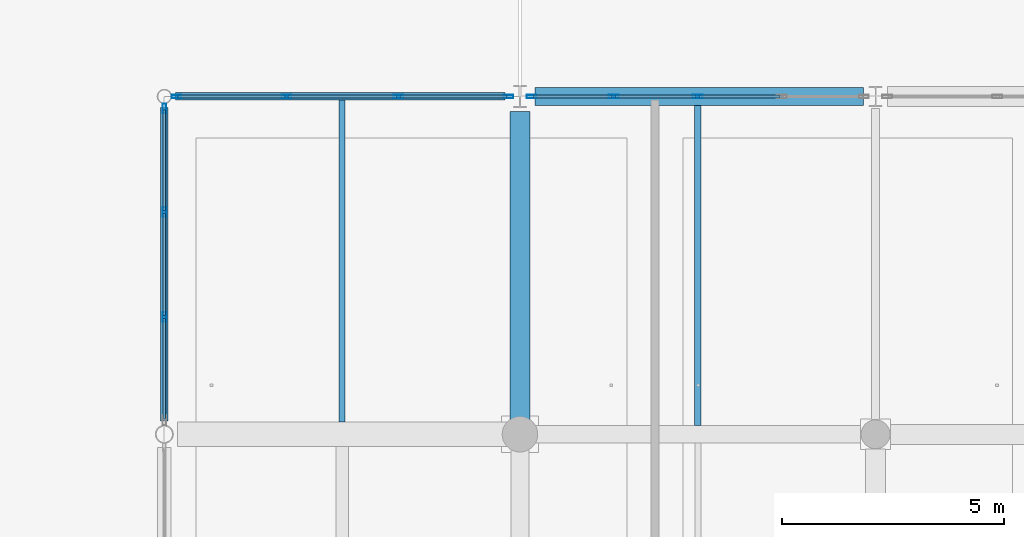
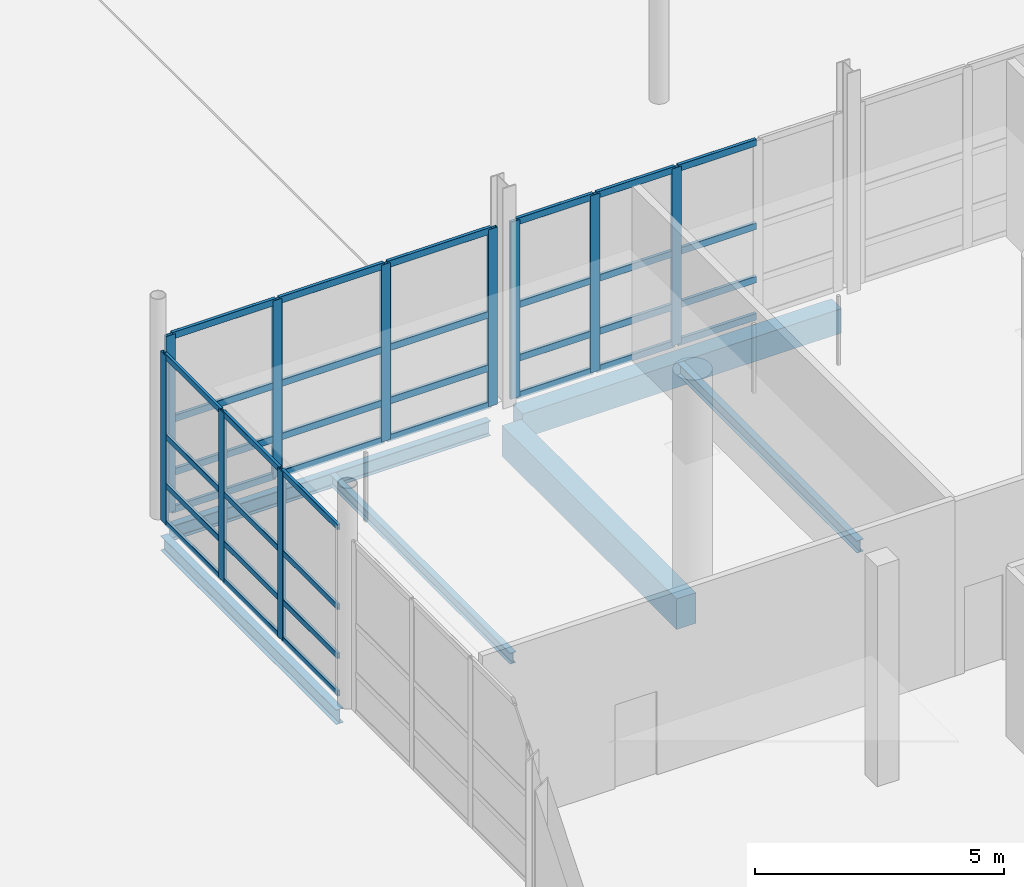
# One storey, part 43 of 126: 46 members, 6 beams, 3 elements without a shape of their own.
"""IFC4 building model written with IfcOpenShell, lengths in metres."""

from ifc_helpers import new_model, si_unit, direction, frame, origin, origin_2d, place, context, subcontext, project, spatial, rectangle, hollow_rectangle, i_section, extrude, material, material_profile, profile_set, type_object, element, aggregate, save


model = new_model("IFC4")

# Units and contexts
model_context = context("Model", 3, precision=1e-05, world=origin(), true_north=direction((0.0, 1.0)))
body_context = subcontext(model_context, "Body", "Model", "MODEL_VIEW")
ifc_project = project(units=[si_unit("LENGTHUNIT", "METRE"), si_unit("AREAUNIT", "SQUARE_METRE"), si_unit("VOLUMEUNIT", "CUBIC_METRE"), si_unit("PLANEANGLEUNIT", "RADIAN"), si_unit("MASSUNIT", "GRAM", prefix="KILO")], contexts=[model_context])

# Site, building, storey
site_placement = place(None, origin())
site = spatial("IfcSite", under=ifc_project, at=site_placement, CompositionType="ELEMENT")
building_placement = place(site_placement, origin())
building = spatial("IfcBuilding", under=site, at=building_placement, Name="Khelvaren Railside Concert Hall", CompositionType="ELEMENT")
storey_placement = place(building_placement, origin())
storey = spatial("IfcBuildingStorey", under=building, at=storey_placement, Name="L00", CompositionType="ELEMENT", Elevation=0.0)

# Beam
ifc_material_1 = material(Name="Concrete C40/50", Category="concrete")
ifc_material_profile_1 = material_profile(ifc_material_1, rectangle(XDim=0.449951171875, YDim=0.75, at=origin_2d()), Name="RCB 450x750")
ifc_profile_set_1 = profile_set([ifc_material_profile_1], Name="Concrete C40/50")
beam_type_1 = type_object("IfcBeamType", Name="BM83", PredefinedType="BEAM", material=ifc_profile_set_1)
beam_1_placement = place(storey_placement, frame((152.0, 30.64990234375, -0.695068359375), z_axis=(0.0, 1.0, 0.0), x_axis=(-1.0, 0.0, 0.0)))
element("IfcBeam", 1, at=beam_1_placement, inside=storey, type_object=beam_type_1, Name="V2 L00 Beam Y2.5", PredefinedType="BEAM", context=body_context, shape_type="SweptSolid", body=[
    extrude(rectangle(XDim=0.449951171875, YDim=0.75, at=origin_2d()), origin(), (0.0, 0.0, 1.0), 7.01416015625),
])

# Curtain wall, members
ifc_material_2 = material(Name="Double-glazed clear foyer glass", Category="glass")
curtain_wall_type_1 = type_object("IfcCurtainWallType", Name="CW64", PredefinedType="USERDEFINED", material=ifc_material_2)
curtain_wall_1_placement = place(storey_placement, origin())
curtain_wall_1 = element("IfcCurtainWall", 2, at=curtain_wall_1_placement, inside=storey, type_object=curtain_wall_type_1, Name="Unitised Curtain Wall CW-V2-L00-W-30", ObjectType="UNITISED CURTAIN WALL", PredefinedType="USERDEFINED")
ifc_material_3 = material(Name="Anodised architectural aluminium 6063-T6", Category="aluminium")
ifc_material_profile_2 = material_profile(ifc_material_3, hollow_rectangle(XDim=0.074951171875, YDim=0.219970703125, WallThickness=0.0048828125, InnerFilletRadius=0.0029296875, OuterFilletRadius=0.0048828125, at=origin_2d()), Name="CWM 75x220x5")
ifc_profile_set_2 = profile_set([ifc_material_profile_2], Name="Anodised architectural aluminium 6063-T6")
member_type_1 = type_object("IfcMemberType", Name="CWM13", PredefinedType="MULLION", material=ifc_profile_set_2)
member_1_placement = place(storey_placement, frame((144.0, 33.0390625, 0.0), z_axis=(0.0, 0.0, 1.0), x_axis=(-1.0, 0.0, 0.0)))
member_1 = element("IfcMember", 3, at=member_1_placement, type_object=member_type_1, Name="CW64 mullion 2", PredefinedType="MULLION", context=body_context, shape_type="SweptSolid", body=[
    extrude(hollow_rectangle(XDim=0.074951171875, YDim=0.219970703125, WallThickness=0.0048828125, InnerFilletRadius=0.0029296875, OuterFilletRadius=0.0048828125, at=origin_2d()), origin(), (0.0, 0.0, 1.0), 4.139892578125),
])
member_2_placement = place(storey_placement, frame((144.0, 35.40234375, 0.0), z_axis=(0.0, 0.0, 1.0), x_axis=(-1.0, 0.0, 0.0)))
member_2 = element("IfcMember", 4, at=member_2_placement, type_object=member_type_1, Name="CW64 mullion 3", PredefinedType="MULLION", context=body_context, shape_type="SweptSolid", body=[
    extrude(hollow_rectangle(XDim=0.074951171875, YDim=0.219970703125, WallThickness=0.0048828125, InnerFilletRadius=0.0029296875, OuterFilletRadius=0.0048828125, at=origin_2d()), origin(), (0.0, 0.0, 1.0), 4.139892578125),
])
member_3_placement = place(storey_placement, frame((144.0, 37.72802734375, 0.0), z_axis=(0.0, 0.0, 1.0), x_axis=(-1.0, 0.0, 0.0)))
member_3 = element("IfcMember", 5, at=member_3_placement, type_object=member_type_1, Name="CW64 mullion 4", PredefinedType="MULLION", context=body_context, shape_type="SweptSolid", body=[
    extrude(hollow_rectangle(XDim=0.074951171875, YDim=0.219970703125, WallThickness=0.0048828125, InnerFilletRadius=0.0029296875, OuterFilletRadius=0.0048828125, at=origin_2d()), origin(), (0.0, 0.0, 1.0), 4.139892578125),
])

ifc_material_4 = material(Name="Triple-glazed solar-control glass", Category="glass")
curtain_wall_type_2 = type_object("IfcCurtainWallType", Name="CW80", PredefinedType="USERDEFINED", material=ifc_material_4)
curtain_wall_2_placement = place(storey_placement, origin())
curtain_wall_2 = element("IfcCurtainWall", 6, at=curtain_wall_2_placement, inside=storey, type_object=curtain_wall_type_2, Name="Unitised Curtain Wall CW-V2-L00-N-144", ObjectType="UNITISED CURTAIN WALL", PredefinedType="USERDEFINED")
member_4_placement = place(storey_placement, frame((144.27197265625, 38.0, 0.0), z_axis=(0.0, 0.0, 1.0), x_axis=(0.0, 1.0, 0.0)))
member_4 = element("IfcMember", 7, at=member_4_placement, type_object=member_type_1, Name="CW80 mullion 1", PredefinedType="MULLION", context=body_context, shape_type="SweptSolid", body=[
    extrude(hollow_rectangle(XDim=0.074951171875, YDim=0.219970703125, WallThickness=0.0048828125, InnerFilletRadius=0.0029296875, OuterFilletRadius=0.0048828125, at=origin_2d()), origin(), (0.0, 0.0, 1.0), 4.340087890625),
])
member_5_placement = place(storey_placement, frame((146.748779296875, 38.0, 0.0), z_axis=(0.0, 0.0, 1.0), x_axis=(0.0, 1.0, 0.0)))
member_5 = element("IfcMember", 8, at=member_5_placement, type_object=member_type_1, Name="CW80 mullion 2", PredefinedType="MULLION", context=body_context, shape_type="SweptSolid", body=[
    extrude(hollow_rectangle(XDim=0.074951171875, YDim=0.219970703125, WallThickness=0.0048828125, InnerFilletRadius=0.0029296875, OuterFilletRadius=0.0048828125, at=origin_2d()), origin(), (0.0, 0.0, 1.0), 4.340087890625),
])
member_6_placement = place(storey_placement, frame((149.26318359375, 38.0, 0.0), z_axis=(0.0, 0.0, 1.0), x_axis=(0.0, 1.0, 0.0)))
member_6 = element("IfcMember", 9, at=member_6_placement, type_object=member_type_1, Name="CW80 mullion 3", PredefinedType="MULLION", context=body_context, shape_type="SweptSolid", body=[
    extrude(hollow_rectangle(XDim=0.074951171875, YDim=0.219970703125, WallThickness=0.0048828125, InnerFilletRadius=0.0029296875, OuterFilletRadius=0.0048828125, at=origin_2d()), origin(), (0.0, 0.0, 1.0), 4.340087890625),
])
member_7_placement = place(storey_placement, frame((151.739990234375, 38.0, 0.0), z_axis=(0.0, 0.0, 1.0), x_axis=(0.0, 1.0, 0.0)))
member_7 = element("IfcMember", 10, at=member_7_placement, type_object=member_type_1, Name="CW80 mullion 4", PredefinedType="MULLION", context=body_context, shape_type="SweptSolid", body=[
    extrude(hollow_rectangle(XDim=0.074951171875, YDim=0.219970703125, WallThickness=0.0048828125, InnerFilletRadius=0.0029296875, OuterFilletRadius=0.0048828125, at=origin_2d()), origin(), (0.0, 0.0, 1.0), 4.340087890625),
])

curtain_wall_type_3 = type_object("IfcCurtainWallType", Name="CW41", PredefinedType="USERDEFINED", material=ifc_material_4)
curtain_wall_3_placement = place(storey_placement, origin())
curtain_wall_3 = element("IfcCurtainWall", 11, at=curtain_wall_3_placement, inside=storey, type_object=curtain_wall_type_3, Name="Unitised Curtain Wall CW-V2-L00-N-152", ObjectType="UNITISED CURTAIN WALL", PredefinedType="USERDEFINED")
member_8_placement = place(storey_placement, frame((152.260009765625, 38.0, 0.0), z_axis=(0.0, 0.0, 1.0), x_axis=(0.0, 1.0, 0.0)))
member_8 = element("IfcMember", 12, at=member_8_placement, type_object=member_type_1, Name="CW41 mullion 1", PredefinedType="MULLION", context=body_context, shape_type="SweptSolid", body=[
    extrude(hollow_rectangle(XDim=0.074951171875, YDim=0.219970703125, WallThickness=0.0048828125, InnerFilletRadius=0.0029296875, OuterFilletRadius=0.0048828125, at=origin_2d()), origin(), (0.0, 0.0, 1.0), 4.340087890625),
])
member_9_placement = place(storey_placement, frame((154.111328125, 38.0, 0.0), z_axis=(0.0, 0.0, 1.0), x_axis=(0.0, 1.0, 0.0)))
member_9 = element("IfcMember", 13, at=member_9_placement, type_object=member_type_1, Name="CW41 mullion 2", PredefinedType="MULLION", context=body_context, shape_type="SweptSolid", body=[
    extrude(hollow_rectangle(XDim=0.074951171875, YDim=0.219970703125, WallThickness=0.0048828125, InnerFilletRadius=0.0029296875, OuterFilletRadius=0.0048828125, at=origin_2d()), origin(), (0.0, 0.0, 1.0), 4.340087890625),
])
member_10_placement = place(storey_placement, frame((156.0, 38.0, 0.0), z_axis=(0.0, 0.0, 1.0), x_axis=(0.0, 1.0, 0.0)))
member_10 = element("IfcMember", 14, at=member_10_placement, type_object=member_type_1, Name="CW41 mullion 3", PredefinedType="MULLION", context=body_context, shape_type="SweptSolid", body=[
    extrude(hollow_rectangle(XDim=0.074951171875, YDim=0.219970703125, WallThickness=0.0048828125, InnerFilletRadius=0.0029296875, OuterFilletRadius=0.0048828125, at=origin_2d()), origin(), (0.0, 0.0, 1.0), 4.340087890625),
])

# Member
ifc_material_profile_3 = material_profile(ifc_material_3, hollow_rectangle(XDim=0.074951171875, YDim=0.1650390625, WallThickness=0.00390625, InnerFilletRadius=0.001953125, OuterFilletRadius=0.00390625, at=origin_2d()), Name="CWT 75x165x4")
ifc_profile_set_3 = profile_set([ifc_material_profile_3], Name="Anodised architectural aluminium 6063-T6")
member_type_2 = type_object("IfcMemberType", Name="CWT46", PredefinedType="USERDEFINED", material=ifc_profile_set_3)
member_11_placement = place(storey_placement, frame((144.3095703125, 38.0, 0.03759765625), z_axis=(1.0, 0.0, 0.0), x_axis=(0.0, 1.0, 0.0)))
member_11 = element("IfcMember", 15, at=member_11_placement, type_object=member_type_2, Name="CW80 transom 1.1", ObjectType="TRANSOM", PredefinedType="USERDEFINED", context=body_context, shape_type="SweptSolid", body=[
    extrude(hollow_rectangle(XDim=0.074951171875, YDim=0.1650390625, WallThickness=0.00390625, InnerFilletRadius=0.001953125, OuterFilletRadius=0.00390625, at=origin_2d()), origin(), (0.0, 0.0, 1.0), 2.40185546875),
])

member_12_placement = place(storey_placement, frame((144.3095703125, 38.0, 0.949951171875), z_axis=(1.0, 0.0, 0.0), x_axis=(0.0, 1.0, 0.0)))
member_12 = element("IfcMember", 16, at=member_12_placement, type_object=member_type_2, Name="CW80 transom 1.2", ObjectType="TRANSOM", PredefinedType="USERDEFINED", context=body_context, shape_type="SweptSolid", body=[
    extrude(hollow_rectangle(XDim=0.074951171875, YDim=0.1650390625, WallThickness=0.00390625, InnerFilletRadius=0.001953125, OuterFilletRadius=0.00390625, at=origin_2d()), origin(), (0.0, 0.0, 1.0), 2.40185546875),
])

member_13_placement = place(storey_placement, frame((144.3095703125, 38.0, 2.2568359375), z_axis=(1.0, 0.0, 0.0), x_axis=(0.0, 1.0, 0.0)))
member_13 = element("IfcMember", 17, at=member_13_placement, type_object=member_type_2, Name="CW80 transom 1.3", ObjectType="TRANSOM", PredefinedType="USERDEFINED", context=body_context, shape_type="SweptSolid", body=[
    extrude(hollow_rectangle(XDim=0.074951171875, YDim=0.1650390625, WallThickness=0.00390625, InnerFilletRadius=0.001953125, OuterFilletRadius=0.00390625, at=origin_2d()), origin(), (0.0, 0.0, 1.0), 2.40185546875),
])

member_14_placement = place(storey_placement, frame((144.3095703125, 38.0, 4.302490234375), z_axis=(1.0, 0.0, 0.0), x_axis=(0.0, 1.0, 0.0)))
member_14 = element("IfcMember", 18, at=member_14_placement, type_object=member_type_2, Name="CW80 transom 1.4", ObjectType="TRANSOM", PredefinedType="USERDEFINED", context=body_context, shape_type="SweptSolid", body=[
    extrude(hollow_rectangle(XDim=0.074951171875, YDim=0.1650390625, WallThickness=0.00390625, InnerFilletRadius=0.001953125, OuterFilletRadius=0.00390625, at=origin_2d()), origin(), (0.0, 0.0, 1.0), 2.40185546875),
])

member_15_placement = place(storey_placement, frame((146.786376953125, 38.0, 0.03759765625), z_axis=(1.0, 0.0, 0.0), x_axis=(0.0, 1.0, 0.0)))
member_15 = element("IfcMember", 19, at=member_15_placement, type_object=member_type_2, Name="CW80 transom 2.1", ObjectType="TRANSOM", PredefinedType="USERDEFINED", context=body_context, shape_type="SweptSolid", body=[
    extrude(hollow_rectangle(XDim=0.074951171875, YDim=0.1650390625, WallThickness=0.00390625, InnerFilletRadius=0.001953125, OuterFilletRadius=0.00390625, at=origin_2d()), origin(), (0.0, 0.0, 1.0), 2.439208984375),
])

member_16_placement = place(storey_placement, frame((146.786376953125, 38.0, 0.949951171875), z_axis=(1.0, 0.0, 0.0), x_axis=(0.0, 1.0, 0.0)))
member_16 = element("IfcMember", 20, at=member_16_placement, type_object=member_type_2, Name="CW80 transom 2.2", ObjectType="TRANSOM", PredefinedType="USERDEFINED", context=body_context, shape_type="SweptSolid", body=[
    extrude(hollow_rectangle(XDim=0.074951171875, YDim=0.1650390625, WallThickness=0.00390625, InnerFilletRadius=0.001953125, OuterFilletRadius=0.00390625, at=origin_2d()), origin(), (0.0, 0.0, 1.0), 2.439208984375),
])

member_17_placement = place(storey_placement, frame((146.786376953125, 38.0, 2.2568359375), z_axis=(1.0, 0.0, 0.0), x_axis=(0.0, 1.0, 0.0)))
member_17 = element("IfcMember", 21, at=member_17_placement, type_object=member_type_2, Name="CW80 transom 2.3", ObjectType="TRANSOM", PredefinedType="USERDEFINED", context=body_context, shape_type="SweptSolid", body=[
    extrude(hollow_rectangle(XDim=0.074951171875, YDim=0.1650390625, WallThickness=0.00390625, InnerFilletRadius=0.001953125, OuterFilletRadius=0.00390625, at=origin_2d()), origin(), (0.0, 0.0, 1.0), 2.439208984375),
])

member_18_placement = place(storey_placement, frame((146.786376953125, 38.0, 4.302490234375), z_axis=(1.0, 0.0, 0.0), x_axis=(0.0, 1.0, 0.0)))
member_18 = element("IfcMember", 22, at=member_18_placement, type_object=member_type_2, Name="CW80 transom 2.4", ObjectType="TRANSOM", PredefinedType="USERDEFINED", context=body_context, shape_type="SweptSolid", body=[
    extrude(hollow_rectangle(XDim=0.074951171875, YDim=0.1650390625, WallThickness=0.00390625, InnerFilletRadius=0.001953125, OuterFilletRadius=0.00390625, at=origin_2d()), origin(), (0.0, 0.0, 1.0), 2.439208984375),
])

member_19_placement = place(storey_placement, frame((149.30078125, 38.0, 0.03759765625), z_axis=(1.0, 0.0, 0.0), x_axis=(0.0, 1.0, 0.0)))
member_19 = element("IfcMember", 23, at=member_19_placement, type_object=member_type_2, Name="CW80 transom 3.1", ObjectType="TRANSOM", PredefinedType="USERDEFINED", context=body_context, shape_type="SweptSolid", body=[
    extrude(hollow_rectangle(XDim=0.074951171875, YDim=0.1650390625, WallThickness=0.00390625, InnerFilletRadius=0.001953125, OuterFilletRadius=0.00390625, at=origin_2d()), origin(), (0.0, 0.0, 1.0), 2.401611328125),
])

member_20_placement = place(storey_placement, frame((149.30078125, 38.0, 0.949951171875), z_axis=(1.0, 0.0, 0.0), x_axis=(0.0, 1.0, 0.0)))
member_20 = element("IfcMember", 24, at=member_20_placement, type_object=member_type_2, Name="CW80 transom 3.2", ObjectType="TRANSOM", PredefinedType="USERDEFINED", context=body_context, shape_type="SweptSolid", body=[
    extrude(hollow_rectangle(XDim=0.074951171875, YDim=0.1650390625, WallThickness=0.00390625, InnerFilletRadius=0.001953125, OuterFilletRadius=0.00390625, at=origin_2d()), origin(), (0.0, 0.0, 1.0), 2.401611328125),
])

member_21_placement = place(storey_placement, frame((149.30078125, 38.0, 2.2568359375), z_axis=(1.0, 0.0, 0.0), x_axis=(0.0, 1.0, 0.0)))
member_21 = element("IfcMember", 25, at=member_21_placement, type_object=member_type_2, Name="CW80 transom 3.3", ObjectType="TRANSOM", PredefinedType="USERDEFINED", context=body_context, shape_type="SweptSolid", body=[
    extrude(hollow_rectangle(XDim=0.074951171875, YDim=0.1650390625, WallThickness=0.00390625, InnerFilletRadius=0.001953125, OuterFilletRadius=0.00390625, at=origin_2d()), origin(), (0.0, 0.0, 1.0), 2.401611328125),
])

member_22_placement = place(storey_placement, frame((149.30078125, 38.0, 4.302490234375), z_axis=(1.0, 0.0, 0.0), x_axis=(0.0, 1.0, 0.0)))
member_22 = element("IfcMember", 26, at=member_22_placement, type_object=member_type_2, Name="CW80 transom 3.4", ObjectType="TRANSOM", PredefinedType="USERDEFINED", context=body_context, shape_type="SweptSolid", body=[
    extrude(hollow_rectangle(XDim=0.074951171875, YDim=0.1650390625, WallThickness=0.00390625, InnerFilletRadius=0.001953125, OuterFilletRadius=0.00390625, at=origin_2d()), origin(), (0.0, 0.0, 1.0), 2.401611328125),
])

aggregate(curtain_wall_2, [member_4, member_5, member_6, member_7, member_11, member_12, member_13, member_14, member_15, member_16, member_17, member_18, member_19, member_20, member_21, member_22])

member_23_placement = place(storey_placement, frame((152.297607421875, 38.0, 0.03759765625), z_axis=(1.0, 0.0, 0.0), x_axis=(0.0, 1.0, 0.0)))
member_23 = element("IfcMember", 27, at=member_23_placement, type_object=member_type_2, Name="CW41 transom 1.1", ObjectType="TRANSOM", PredefinedType="USERDEFINED", context=body_context, shape_type="SweptSolid", body=[
    extrude(hollow_rectangle(XDim=0.074951171875, YDim=0.1650390625, WallThickness=0.00390625, InnerFilletRadius=0.001953125, OuterFilletRadius=0.00390625, at=origin_2d()), origin(), (0.0, 0.0, 1.0), 1.776123046875),
])

member_24_placement = place(storey_placement, frame((152.297607421875, 38.0, 0.949951171875), z_axis=(1.0, 0.0, 0.0), x_axis=(0.0, 1.0, 0.0)))
member_24 = element("IfcMember", 28, at=member_24_placement, type_object=member_type_2, Name="CW41 transom 1.2", ObjectType="TRANSOM", PredefinedType="USERDEFINED", context=body_context, shape_type="SweptSolid", body=[
    extrude(hollow_rectangle(XDim=0.074951171875, YDim=0.1650390625, WallThickness=0.00390625, InnerFilletRadius=0.001953125, OuterFilletRadius=0.00390625, at=origin_2d()), origin(), (0.0, 0.0, 1.0), 1.776123046875),
])

member_25_placement = place(storey_placement, frame((152.297607421875, 38.0, 2.2568359375), z_axis=(1.0, 0.0, 0.0), x_axis=(0.0, 1.0, 0.0)))
member_25 = element("IfcMember", 29, at=member_25_placement, type_object=member_type_2, Name="CW41 transom 1.3", ObjectType="TRANSOM", PredefinedType="USERDEFINED", context=body_context, shape_type="SweptSolid", body=[
    extrude(hollow_rectangle(XDim=0.074951171875, YDim=0.1650390625, WallThickness=0.00390625, InnerFilletRadius=0.001953125, OuterFilletRadius=0.00390625, at=origin_2d()), origin(), (0.0, 0.0, 1.0), 1.776123046875),
])

member_26_placement = place(storey_placement, frame((152.297607421875, 38.0, 4.302490234375), z_axis=(1.0, 0.0, 0.0), x_axis=(0.0, 1.0, 0.0)))
member_26 = element("IfcMember", 30, at=member_26_placement, type_object=member_type_2, Name="CW41 transom 1.4", ObjectType="TRANSOM", PredefinedType="USERDEFINED", context=body_context, shape_type="SweptSolid", body=[
    extrude(hollow_rectangle(XDim=0.074951171875, YDim=0.1650390625, WallThickness=0.00390625, InnerFilletRadius=0.001953125, OuterFilletRadius=0.00390625, at=origin_2d()), origin(), (0.0, 0.0, 1.0), 1.776123046875),
])

member_27_placement = place(storey_placement, frame((154.148681640625, 38.0, 0.03759765625), z_axis=(1.0, 0.0, 0.0), x_axis=(0.0, 1.0, 0.0)))
member_27 = element("IfcMember", 31, at=member_27_placement, type_object=member_type_2, Name="CW41 transom 2.1", ObjectType="TRANSOM", PredefinedType="USERDEFINED", context=body_context, shape_type="SweptSolid", body=[
    extrude(hollow_rectangle(XDim=0.074951171875, YDim=0.1650390625, WallThickness=0.00390625, InnerFilletRadius=0.001953125, OuterFilletRadius=0.00390625, at=origin_2d()), origin(), (0.0, 0.0, 1.0), 1.813720703125),
])

member_28_placement = place(storey_placement, frame((154.148681640625, 38.0, 0.949951171875), z_axis=(1.0, 0.0, 0.0), x_axis=(0.0, 1.0, 0.0)))
member_28 = element("IfcMember", 32, at=member_28_placement, type_object=member_type_2, Name="CW41 transom 2.2", ObjectType="TRANSOM", PredefinedType="USERDEFINED", context=body_context, shape_type="SweptSolid", body=[
    extrude(hollow_rectangle(XDim=0.074951171875, YDim=0.1650390625, WallThickness=0.00390625, InnerFilletRadius=0.001953125, OuterFilletRadius=0.00390625, at=origin_2d()), origin(), (0.0, 0.0, 1.0), 1.813720703125),
])

member_29_placement = place(storey_placement, frame((154.148681640625, 38.0, 2.2568359375), z_axis=(1.0, 0.0, 0.0), x_axis=(0.0, 1.0, 0.0)))
member_29 = element("IfcMember", 33, at=member_29_placement, type_object=member_type_2, Name="CW41 transom 2.3", ObjectType="TRANSOM", PredefinedType="USERDEFINED", context=body_context, shape_type="SweptSolid", body=[
    extrude(hollow_rectangle(XDim=0.074951171875, YDim=0.1650390625, WallThickness=0.00390625, InnerFilletRadius=0.001953125, OuterFilletRadius=0.00390625, at=origin_2d()), origin(), (0.0, 0.0, 1.0), 1.813720703125),
])

member_30_placement = place(storey_placement, frame((154.148681640625, 38.0, 4.302490234375), z_axis=(1.0, 0.0, 0.0), x_axis=(0.0, 1.0, 0.0)))
member_30 = element("IfcMember", 34, at=member_30_placement, type_object=member_type_2, Name="CW41 transom 2.4", ObjectType="TRANSOM", PredefinedType="USERDEFINED", context=body_context, shape_type="SweptSolid", body=[
    extrude(hollow_rectangle(XDim=0.074951171875, YDim=0.1650390625, WallThickness=0.00390625, InnerFilletRadius=0.001953125, OuterFilletRadius=0.00390625, at=origin_2d()), origin(), (0.0, 0.0, 1.0), 1.813720703125),
])

member_31_placement = place(storey_placement, frame((156.03759765625, 38.0, 0.03759765625), z_axis=(1.0, 0.0, 0.0), x_axis=(0.0, 1.0, 0.0)))
member_31 = element("IfcMember", 35, at=member_31_placement, type_object=member_type_2, Name="CW41 transom 3.1", ObjectType="TRANSOM", PredefinedType="USERDEFINED", context=body_context, shape_type="SweptSolid", body=[
    extrude(hollow_rectangle(XDim=0.074951171875, YDim=0.1650390625, WallThickness=0.00390625, InnerFilletRadius=0.001953125, OuterFilletRadius=0.00390625, at=origin_2d()), origin(), (0.0, 0.0, 1.0), 1.813720703125),
])

member_32_placement = place(storey_placement, frame((156.03759765625, 38.0, 0.949951171875), z_axis=(1.0, 0.0, 0.0), x_axis=(0.0, 1.0, 0.0)))
member_32 = element("IfcMember", 36, at=member_32_placement, type_object=member_type_2, Name="CW41 transom 3.2", ObjectType="TRANSOM", PredefinedType="USERDEFINED", context=body_context, shape_type="SweptSolid", body=[
    extrude(hollow_rectangle(XDim=0.074951171875, YDim=0.1650390625, WallThickness=0.00390625, InnerFilletRadius=0.001953125, OuterFilletRadius=0.00390625, at=origin_2d()), origin(), (0.0, 0.0, 1.0), 1.813720703125),
])

member_33_placement = place(storey_placement, frame((156.03759765625, 38.0, 2.2568359375), z_axis=(1.0, 0.0, 0.0), x_axis=(0.0, 1.0, 0.0)))
member_33 = element("IfcMember", 37, at=member_33_placement, type_object=member_type_2, Name="CW41 transom 3.3", ObjectType="TRANSOM", PredefinedType="USERDEFINED", context=body_context, shape_type="SweptSolid", body=[
    extrude(hollow_rectangle(XDim=0.074951171875, YDim=0.1650390625, WallThickness=0.00390625, InnerFilletRadius=0.001953125, OuterFilletRadius=0.00390625, at=origin_2d()), origin(), (0.0, 0.0, 1.0), 1.813720703125),
])

member_34_placement = place(storey_placement, frame((156.03759765625, 38.0, 4.302490234375), z_axis=(1.0, 0.0, 0.0), x_axis=(0.0, 1.0, 0.0)))
member_34 = element("IfcMember", 38, at=member_34_placement, type_object=member_type_2, Name="CW41 transom 3.4", ObjectType="TRANSOM", PredefinedType="USERDEFINED", context=body_context, shape_type="SweptSolid", body=[
    extrude(hollow_rectangle(XDim=0.074951171875, YDim=0.1650390625, WallThickness=0.00390625, InnerFilletRadius=0.001953125, OuterFilletRadius=0.00390625, at=origin_2d()), origin(), (0.0, 0.0, 1.0), 1.813720703125),
])

aggregate(curtain_wall_3, [member_8, member_9, member_10, member_23, member_24, member_25, member_26, member_27, member_28, member_29, member_30, member_31, member_32, member_33, member_34])

ifc_material_profile_4 = material_profile(ifc_material_3, hollow_rectangle(XDim=0.06494140625, YDim=0.139892578125, WallThickness=0.00390625, InnerFilletRadius=0.001953125, OuterFilletRadius=0.00390625, at=origin_2d()), Name="CWT 65x140x4")
ifc_profile_set_4 = profile_set([ifc_material_profile_4], Name="Anodised architectural aluminium 6063-T6")
member_type_3 = type_object("IfcMemberType", Name="CWT72", PredefinedType="USERDEFINED", material=ifc_profile_set_4)
member_35_placement = place(storey_placement, frame((144.0, 30.750732421875, 0.032470703125), z_axis=(0.0, 1.0, 0.0), x_axis=(-1.0, 0.0, 0.0)))
member_35 = element("IfcMember", 39, at=member_35_placement, type_object=member_type_3, Name="CW64 transom 1.1", ObjectType="TRANSOM", PredefinedType="USERDEFINED", context=body_context, shape_type="SweptSolid", body=[
    extrude(hollow_rectangle(XDim=0.06494140625, YDim=0.139892578125, WallThickness=0.00390625, InnerFilletRadius=0.001953125, OuterFilletRadius=0.00390625, at=origin_2d()), origin(), (0.0, 0.0, 1.0), 2.250732421875),
])

member_36_placement = place(storey_placement, frame((144.0, 30.750732421875, 0.949951171875), z_axis=(0.0, 1.0, 0.0), x_axis=(-1.0, 0.0, 0.0)))
member_36 = element("IfcMember", 40, at=member_36_placement, type_object=member_type_3, Name="CW64 transom 1.2", ObjectType="TRANSOM", PredefinedType="USERDEFINED", context=body_context, shape_type="SweptSolid", body=[
    extrude(hollow_rectangle(XDim=0.06494140625, YDim=0.139892578125, WallThickness=0.00390625, InnerFilletRadius=0.001953125, OuterFilletRadius=0.00390625, at=origin_2d()), origin(), (0.0, 0.0, 1.0), 2.250732421875),
])

member_37_placement = place(storey_placement, frame((144.0, 30.750732421875, 2.15283203125), z_axis=(0.0, 1.0, 0.0), x_axis=(-1.0, 0.0, 0.0)))
member_37 = element("IfcMember", 41, at=member_37_placement, type_object=member_type_3, Name="CW64 transom 1.3", ObjectType="TRANSOM", PredefinedType="USERDEFINED", context=body_context, shape_type="SweptSolid", body=[
    extrude(hollow_rectangle(XDim=0.06494140625, YDim=0.139892578125, WallThickness=0.00390625, InnerFilletRadius=0.001953125, OuterFilletRadius=0.00390625, at=origin_2d()), origin(), (0.0, 0.0, 1.0), 2.250732421875),
])

member_38_placement = place(storey_placement, frame((144.0, 30.750732421875, 4.107421875), z_axis=(0.0, 1.0, 0.0), x_axis=(-1.0, 0.0, 0.0)))
member_38 = element("IfcMember", 42, at=member_38_placement, type_object=member_type_3, Name="CW64 transom 1.4", ObjectType="TRANSOM", PredefinedType="USERDEFINED", context=body_context, shape_type="SweptSolid", body=[
    extrude(hollow_rectangle(XDim=0.06494140625, YDim=0.139892578125, WallThickness=0.00390625, InnerFilletRadius=0.001953125, OuterFilletRadius=0.00390625, at=origin_2d()), origin(), (0.0, 0.0, 1.0), 2.250732421875),
])

member_39_placement = place(storey_placement, frame((144.0, 33.076416015625, 0.032470703125), z_axis=(0.0, 1.0, 0.0), x_axis=(-1.0, 0.0, 0.0)))
member_39 = element("IfcMember", 43, at=member_39_placement, type_object=member_type_3, Name="CW64 transom 2.1", ObjectType="TRANSOM", PredefinedType="USERDEFINED", context=body_context, shape_type="SweptSolid", body=[
    extrude(hollow_rectangle(XDim=0.06494140625, YDim=0.139892578125, WallThickness=0.00390625, InnerFilletRadius=0.001953125, OuterFilletRadius=0.00390625, at=origin_2d()), origin(), (0.0, 0.0, 1.0), 2.288330078125),
])

member_40_placement = place(storey_placement, frame((144.0, 33.076416015625, 0.949951171875), z_axis=(0.0, 1.0, 0.0), x_axis=(-1.0, 0.0, 0.0)))
member_40 = element("IfcMember", 44, at=member_40_placement, type_object=member_type_3, Name="CW64 transom 2.2", ObjectType="TRANSOM", PredefinedType="USERDEFINED", context=body_context, shape_type="SweptSolid", body=[
    extrude(hollow_rectangle(XDim=0.06494140625, YDim=0.139892578125, WallThickness=0.00390625, InnerFilletRadius=0.001953125, OuterFilletRadius=0.00390625, at=origin_2d()), origin(), (0.0, 0.0, 1.0), 2.288330078125),
])

member_41_placement = place(storey_placement, frame((144.0, 33.076416015625, 2.15283203125), z_axis=(0.0, 1.0, 0.0), x_axis=(-1.0, 0.0, 0.0)))
member_41 = element("IfcMember", 45, at=member_41_placement, type_object=member_type_3, Name="CW64 transom 2.3", ObjectType="TRANSOM", PredefinedType="USERDEFINED", context=body_context, shape_type="SweptSolid", body=[
    extrude(hollow_rectangle(XDim=0.06494140625, YDim=0.139892578125, WallThickness=0.00390625, InnerFilletRadius=0.001953125, OuterFilletRadius=0.00390625, at=origin_2d()), origin(), (0.0, 0.0, 1.0), 2.288330078125),
])

member_42_placement = place(storey_placement, frame((144.0, 33.076416015625, 4.107421875), z_axis=(0.0, 1.0, 0.0), x_axis=(-1.0, 0.0, 0.0)))
member_42 = element("IfcMember", 46, at=member_42_placement, type_object=member_type_3, Name="CW64 transom 2.4", ObjectType="TRANSOM", PredefinedType="USERDEFINED", context=body_context, shape_type="SweptSolid", body=[
    extrude(hollow_rectangle(XDim=0.06494140625, YDim=0.139892578125, WallThickness=0.00390625, InnerFilletRadius=0.001953125, OuterFilletRadius=0.00390625, at=origin_2d()), origin(), (0.0, 0.0, 1.0), 2.288330078125),
])

member_43_placement = place(storey_placement, frame((144.0, 35.439697265625, 0.032470703125), z_axis=(0.0, 1.0, 0.0), x_axis=(-1.0, 0.0, 0.0)))
member_43 = element("IfcMember", 47, at=member_43_placement, type_object=member_type_3, Name="CW64 transom 3.1", ObjectType="TRANSOM", PredefinedType="USERDEFINED", context=body_context, shape_type="SweptSolid", body=[
    extrude(hollow_rectangle(XDim=0.06494140625, YDim=0.139892578125, WallThickness=0.00390625, InnerFilletRadius=0.001953125, OuterFilletRadius=0.00390625, at=origin_2d()), origin(), (0.0, 0.0, 1.0), 2.250732421875),
])

member_44_placement = place(storey_placement, frame((144.0, 35.439697265625, 0.949951171875), z_axis=(0.0, 1.0, 0.0), x_axis=(-1.0, 0.0, 0.0)))
member_44 = element("IfcMember", 48, at=member_44_placement, type_object=member_type_3, Name="CW64 transom 3.2", ObjectType="TRANSOM", PredefinedType="USERDEFINED", context=body_context, shape_type="SweptSolid", body=[
    extrude(hollow_rectangle(XDim=0.06494140625, YDim=0.139892578125, WallThickness=0.00390625, InnerFilletRadius=0.001953125, OuterFilletRadius=0.00390625, at=origin_2d()), origin(), (0.0, 0.0, 1.0), 2.250732421875),
])

member_45_placement = place(storey_placement, frame((144.0, 35.439697265625, 2.15283203125), z_axis=(0.0, 1.0, 0.0), x_axis=(-1.0, 0.0, 0.0)))
member_45 = element("IfcMember", 49, at=member_45_placement, type_object=member_type_3, Name="CW64 transom 3.3", ObjectType="TRANSOM", PredefinedType="USERDEFINED", context=body_context, shape_type="SweptSolid", body=[
    extrude(hollow_rectangle(XDim=0.06494140625, YDim=0.139892578125, WallThickness=0.00390625, InnerFilletRadius=0.001953125, OuterFilletRadius=0.00390625, at=origin_2d()), origin(), (0.0, 0.0, 1.0), 2.250732421875),
])

member_46_placement = place(storey_placement, frame((144.0, 35.439697265625, 4.107421875), z_axis=(0.0, 1.0, 0.0), x_axis=(-1.0, 0.0, 0.0)))
member_46 = element("IfcMember", 50, at=member_46_placement, type_object=member_type_3, Name="CW64 transom 3.4", ObjectType="TRANSOM", PredefinedType="USERDEFINED", context=body_context, shape_type="SweptSolid", body=[
    extrude(hollow_rectangle(XDim=0.06494140625, YDim=0.139892578125, WallThickness=0.00390625, InnerFilletRadius=0.001953125, OuterFilletRadius=0.00390625, at=origin_2d()), origin(), (0.0, 0.0, 1.0), 2.250732421875),
])

aggregate(curtain_wall_1, [member_1, member_2, member_3, member_35, member_36, member_37, member_38, member_39, member_40, member_41, member_42, member_43, member_44, member_45, member_46])

# Beams
ifc_material_5 = material(Name="Steel S355", Category="steel")
ifc_material_profile_5 = material_profile(ifc_material_5, i_section(OverallWidth=0.14990234375, OverallDepth=0.300048828125, WebThickness=0.007080078125, FlangeThickness=0.0107421875, FilletRadius=0.014892578125, at=origin_2d()), Name="IPE 300")
ifc_profile_set_5 = profile_set([ifc_material_profile_5], Name="Steel S355")
beam_type_2 = type_object("IfcBeamType", Name="JS26", PredefinedType="JOIST", material=ifc_profile_set_5)
beam_2_placement = place(storey_placement, frame((156.0, 30.60009765625, -0.469970703125), z_axis=(0.0, 1.0, 0.0), x_axis=(-1.0, 0.0, 0.0)))
element("IfcBeam", 51, at=beam_2_placement, inside=storey, type_object=beam_type_2, Name="V2 L00 Secondary Joist 2.5", PredefinedType="JOIST", context=body_context, shape_type="SweptSolid", body=[
    extrude(i_section(OverallWidth=0.14990234375, OverallDepth=0.300048828125, WebThickness=0.007080078125, FlangeThickness=0.0107421875, FilletRadius=0.014892578125, at=origin_2d()), origin(), (0.0, 0.0, 1.0), 7.199951171875),
])
ifc_material_profile_6 = material_profile(ifc_material_5, i_section(OverallWidth=0.135009765625, OverallDepth=0.27001953125, WebThickness=0.006591796875, FlangeThickness=0.01025390625, FilletRadius=0.014892578125, at=origin_2d()), Name="IPE 270")
ifc_profile_set_6 = profile_set([ifc_material_profile_6], Name="Steel S355")
beam_type_3 = type_object("IfcBeamType", Name="JS78", PredefinedType="JOIST", material=ifc_profile_set_6)
beam_3_placement = place(storey_placement, frame((148.0, 30.675048828125, -0.455078125), z_axis=(0.0, 1.0, 0.0), x_axis=(-1.0, 0.0, 0.0)))
element("IfcBeam", 52, at=beam_3_placement, inside=storey, type_object=beam_type_3, Name="V2 L00 Secondary Joist 1.5", PredefinedType="JOIST", context=body_context, shape_type="SweptSolid", body=[
    extrude(i_section(OverallWidth=0.135009765625, OverallDepth=0.27001953125, WebThickness=0.006591796875, FlangeThickness=0.01025390625, FilletRadius=0.014892578125, at=origin_2d()), origin(), (0.0, 0.0, 1.0), 7.239990234375),
])
ifc_material_profile_7 = material_profile(ifc_material_5, i_section(OverallWidth=0.169921875, OverallDepth=0.360107421875, WebThickness=0.008056640625, FlangeThickness=0.0126953125, FilletRadius=0.01806640625, at=origin_2d()), Name="IPE 360")
ifc_profile_set_7 = profile_set([ifc_material_profile_7], Name="Steel S355")
beam_type_4 = type_object("IfcBeamType", Name="SP74", PredefinedType="SPANDREL", material=ifc_profile_set_7)
beam_4_placement = place(storey_placement, frame((144.25, 38.0, -0.5), z_axis=(1.0, 0.0, 0.0), x_axis=(0.0, 1.0, 0.0)))
element("IfcBeam", 53, at=beam_4_placement, inside=storey, type_object=beam_type_4, Name="V2 L00 Spandrel X6.1", PredefinedType="SPANDREL", context=body_context, shape_type="SweptSolid", body=[
    extrude(i_section(OverallWidth=0.169921875, OverallDepth=0.360107421875, WebThickness=0.008056640625, FlangeThickness=0.0126953125, FilletRadius=0.01806640625, at=origin_2d()), origin(), (0.0, 0.0, 1.0), 7.4140625),
])
beam_5_placement = place(storey_placement, frame((144.0, 30.699951171875, -0.5), z_axis=(0.0, 1.0, 0.0), x_axis=(-1.0, 0.0, 0.0)))
element("IfcBeam", 54, at=beam_5_placement, inside=storey, type_object=beam_type_4, Name="V2 L00 Spandrel Y1.5", PredefinedType="SPANDREL", context=body_context, shape_type="SweptSolid", body=[
    extrude(i_section(OverallWidth=0.169921875, OverallDepth=0.360107421875, WebThickness=0.008056640625, FlangeThickness=0.0126953125, FilletRadius=0.01806640625, at=origin_2d()), origin(), (0.0, 0.0, 1.0), 7.050048828125),
])
ifc_material_profile_8 = material_profile(ifc_material_1, rectangle(XDim=0.39990234375, YDim=0.60009765625, at=origin_2d()), Name="RCB 400x600")
ifc_profile_set_8 = profile_set([ifc_material_profile_8], Name="Concrete C40/50")
beam_type_5 = type_object("IfcBeamType", Name="SP75", PredefinedType="SPANDREL", material=ifc_profile_set_8)
beam_6_placement = place(storey_placement, frame((152.3359375, 38.0, -0.6201171875), z_axis=(1.0, 0.0, 0.0), x_axis=(0.0, 1.0, 0.0)))
element("IfcBeam", 55, at=beam_6_placement, inside=storey, type_object=beam_type_5, Name="V2 L00 Spandrel X6.2", PredefinedType="SPANDREL", context=body_context, shape_type="SweptSolid", body=[
    extrude(rectangle(XDim=0.39990234375, YDim=0.60009765625, at=origin_2d()), origin(), (0.0, 0.0, 1.0), 7.39111328125),
])

save(model, "model.ifc")
